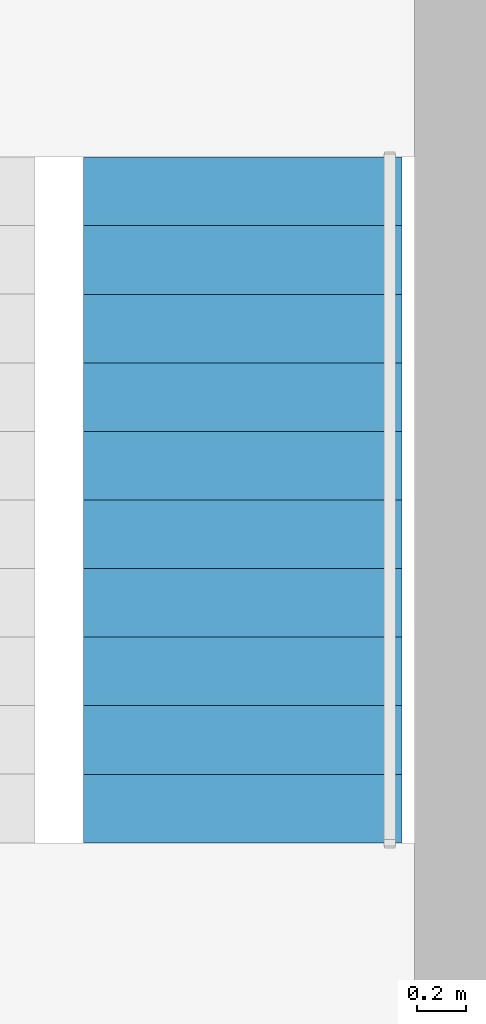
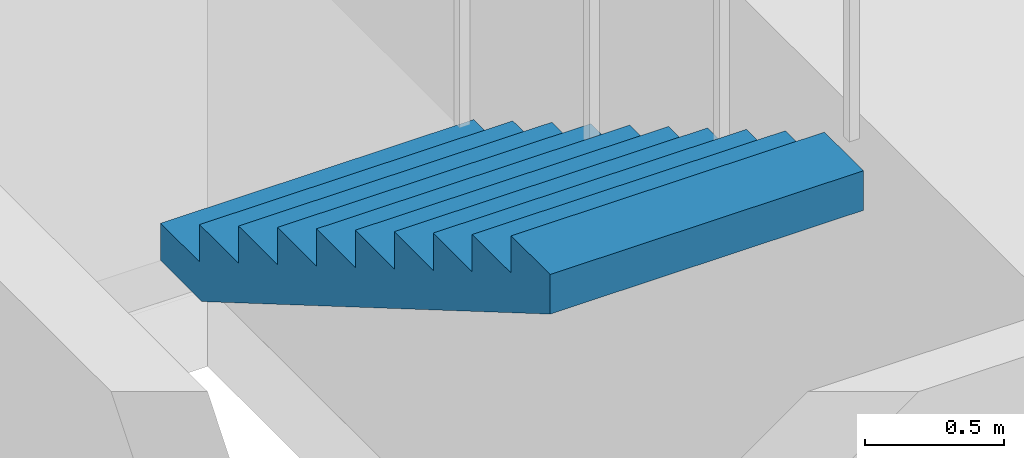
# One storey, part 11 of 12: 1 stair flight, 1 element without a shape of its own.
"""IFC4 building model written with IfcOpenShell, lengths in metres."""

from ifc_helpers import new_model, si_unit, direction, frame, origin, place, context, subcontext, project, spatial, polyline, outline, extrude, material, type_object, element, aggregate, save


model = new_model("IFC4")

# Units and contexts
model_context = context("Model", 3, precision=1e-05, world=origin(), true_north=direction((0.0, 1.0)))
body_context = subcontext(model_context, "Body", "Model", "MODEL_VIEW")
ifc_project = project(units=[si_unit("LENGTHUNIT", "METRE"), si_unit("AREAUNIT", "SQUARE_METRE"), si_unit("VOLUMEUNIT", "CUBIC_METRE"), si_unit("PLANEANGLEUNIT", "RADIAN"), si_unit("MASSUNIT", "GRAM", prefix="KILO")], contexts=[model_context])

# Site, building, storey
site_placement = place(None, origin())
site = spatial("IfcSite", under=ifc_project, at=site_placement, CompositionType="ELEMENT")
building_placement = place(site_placement, origin())
building = spatial("IfcBuilding", under=site, at=building_placement, Name="Nyansa Garden Tower", CompositionType="ELEMENT")
storey_placement = place(building_placement, frame((0.0, 0.0, 80.10009765625)))
storey = spatial("IfcBuildingStorey", under=building, at=storey_placement, Name="L21", CompositionType="ELEMENT", Elevation=80.10009765625)

# Stair, stair flight
ifc_material_1 = material(Name="Precast concrete C40/50", Category="concrete")
stair_type = type_object("IfcStairType", Name="Stair S2 164x280", PredefinedType="HALF_TURN_STAIR", material=ifc_material_1)
stair_placement = place(storey_placement, origin())
stair = element("IfcStair", 1, at=stair_placement, inside=storey, type_object=stair_type, Name="Stair S2 L21", PredefinedType="HALF_TURN_STAIR")
ifc_material_2 = material(Name="Precast concrete C40/50", Category="concrete")
stair_flight_type = type_object("IfcStairFlightType", Name="Stair flight S2 164x280x11", PredefinedType="STRAIGHT", material=ifc_material_2)
stair_flight_placement = place(storey_placement, frame((25.699951171875, 24.39990234375, 1.7998046875), z_axis=(0.0, 0.0, 1.0), x_axis=(0.0, -1.0, 0.0)))
stair_flight = element("IfcStairFlight", 2, at=stair_flight_placement, type_object=stair_flight_type, Name="S2 flight 2", NumberOfRisers=11, NumberOfTreads=10, PredefinedType="STRAIGHT", RiserHeight=0.163636364, TreadLength=0.28, context=body_context, shape_type="SweptSolid", body=[
    extrude(outline(polyline([(0.0, 0.0), (0.0, 0.16357421875), (0.280029296875, 0.16357421875), (0.280029296875, 0.327392578125), (0.56005859375, 0.327392578125), (0.56005859375, 0.490966796875), (0.840087890625, 0.490966796875), (0.840087890625, 0.654541015625), (1.1201171875, 0.654541015625), (1.1201171875, 0.818115234375), (1.39990234375, 0.818115234375), (1.39990234375, 0.98193359375), (1.679931640625, 0.98193359375), (1.679931640625, 1.1455078125), (1.9599609375, 1.1455078125), (1.9599609375, 1.30908203125), (2.239990234375, 1.30908203125), (2.239990234375, 1.47265625), (2.52001953125, 1.47265625), (2.52001953125, 1.636474609375), (2.800048828125, 1.636474609375), (2.800048828125, 1.800048828125), (2.800048828125, 1.462646484375), (0.297119140625, 0.0), (0.0, 0.0)])), frame((0.0, 0.64990234375, 0.0), z_axis=(0.0, -1.0, 0.0), x_axis=(1.0, 0.0, 0.0)), (0.0, 0.0, 1.0), 1.300048828125),
])
aggregate(stair, [stair_flight])

save(model, "model.ifc")
